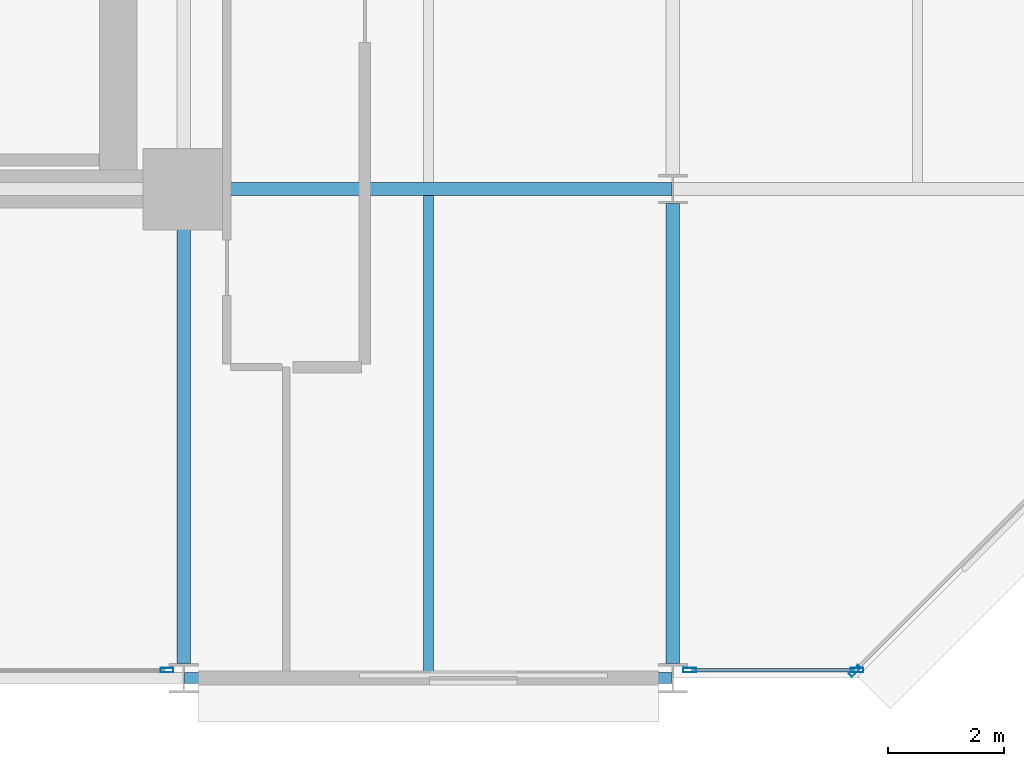
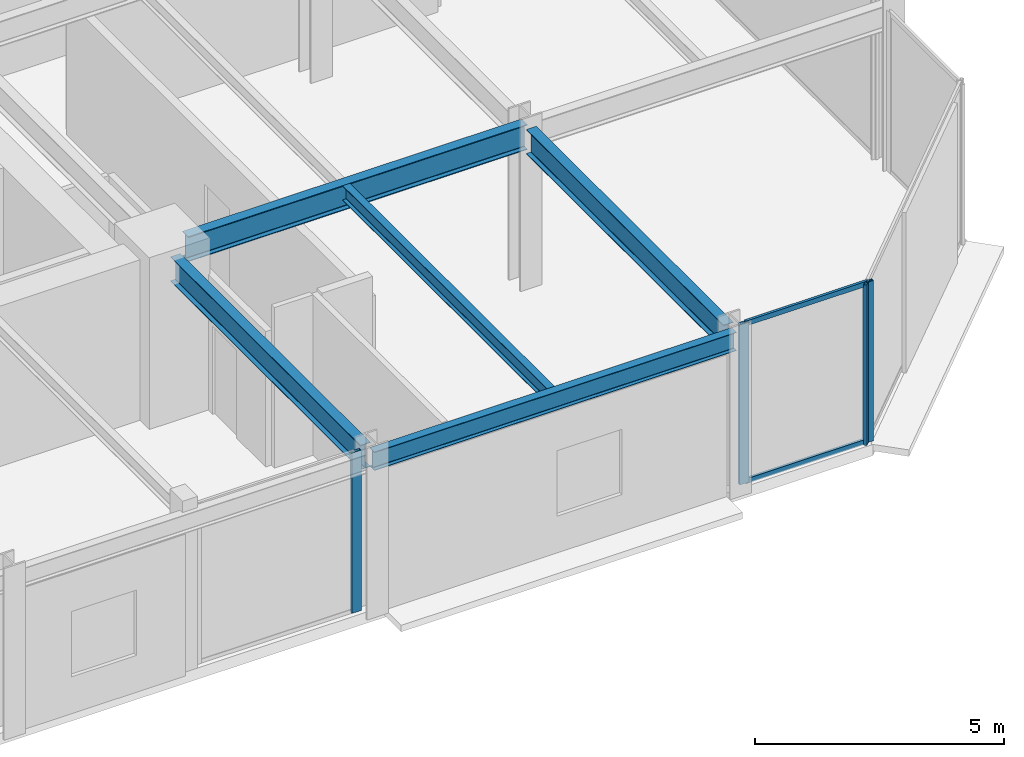
# One storey, part 9 of 25: 6 members, 5 beams, 3 elements without a shape of their own.
"""IFC4 building model written with IfcOpenShell, lengths in metres."""

from ifc_helpers import new_model, si_unit, direction, frame, origin, origin_2d, place, context, subcontext, project, spatial, hollow_rectangle, i_section, extrude, material, layer, layer_set, material_profile, profile_set, type_object, element, aggregate, save


model = new_model("IFC4")

# Units and contexts
model_context = context("Model", 3, precision=1e-05, world=origin(), true_north=direction((0.0, 1.0)))
body_context = subcontext(model_context, "Body", "Model", "MODEL_VIEW")
ifc_project = project(units=[si_unit("LENGTHUNIT", "METRE"), si_unit("AREAUNIT", "SQUARE_METRE"), si_unit("VOLUMEUNIT", "CUBIC_METRE"), si_unit("PLANEANGLEUNIT", "RADIAN"), si_unit("MASSUNIT", "GRAM", prefix="KILO")], contexts=[model_context])

# Site, building, storey
site_placement = place(None, origin())
site = spatial("IfcSite", under=ifc_project, at=site_placement, CompositionType="ELEMENT")
building_placement = place(site_placement, origin())
building = spatial("IfcBuilding", under=site, at=building_placement, Name="Nerrivon Quay Data Exchange", CompositionType="ELEMENT")
storey_placement = place(building_placement, frame((0.0, 0.0, 29.0)))
storey = spatial("IfcBuildingStorey", under=building, at=storey_placement, Name="L06", CompositionType="ELEMENT", Elevation=29.0)

# Beams
ifc_material_1 = material(Name="Steel Grade 350", Category="steel")
ifc_material_profile_1 = material_profile(ifc_material_1, i_section(OverallWidth=0.22900390625, OverallDepth=0.612060546875, WebThickness=0.011962890625, FlangeThickness=0.01953125, FilletRadius=0.013916015625, at=origin_2d()), Name="610UB125")
ifc_profile_set_1 = profile_set([ifc_material_profile_1], Name="Steel Grade 350")
beam_type_1 = type_object("IfcBeamType", Name="BM-G1-610UB125", PredefinedType="BEAM", material=ifc_profile_set_1)
beam_1_placement = place(storey_placement, frame((34.139892578125, 8.39990234375, 3.618896484375), z_axis=(1.0, 0.0, 0.0), x_axis=(0.0, 1.0, 0.0)))
element("IfcBeam", 1, at=beam_1_placement, inside=storey, type_object=beam_type_1, Name="L06 EW Girder Y=8.4 (33.6..42.0)", PredefinedType="BEAM", context=body_context, shape_type="SweptSolid", body=[
    extrude(i_section(OverallWidth=0.22900390625, OverallDepth=0.612060546875, WebThickness=0.011962890625, FlangeThickness=0.01953125, FilletRadius=0.013916015625, at=origin_2d()), origin(), (0.0, 0.0, 1.0), 7.84619140625),
])
ifc_material_profile_2 = material_profile(ifc_material_1, i_section(OverallWidth=0.22802734375, OverallDepth=0.60205078125, WebThickness=0.010498046875, FlangeThickness=0.014892578125, FilletRadius=0.013916015625, at=origin_2d()), Name="610UB101")
ifc_profile_set_2 = profile_set([ifc_material_profile_2], Name="Steel Grade 350")
beam_type_2 = type_object("IfcBeamType", Name="BM-G2-610UB101", PredefinedType="BEAM", material=ifc_profile_set_2)
beam_2_placement = place(storey_placement, frame((33.60009765625, 0.25, 3.6240234375), z_axis=(0.0, 1.0, 0.0), x_axis=(-1.0, 0.0, 0.0)))
element("IfcBeam", 2, at=beam_2_placement, inside=storey, type_object=beam_type_2, Name="L06 NS Girder X=33.6 (0.0..8.4)", PredefinedType="BEAM", context=body_context, shape_type="SweptSolid", body=[
    extrude(i_section(OverallWidth=0.22802734375, OverallDepth=0.60205078125, WebThickness=0.010498046875, FlangeThickness=0.014892578125, FilletRadius=0.013916015625, at=origin_2d()), origin(), (0.0, 0.0, 1.0), 7.610107421875),
])
beam_3_placement = place(storey_placement, frame((42.0, 0.25, 3.6240234375), z_axis=(0.0, 1.0, 0.0), x_axis=(-1.0, 0.0, 0.0)))
element("IfcBeam", 3, at=beam_3_placement, inside=storey, type_object=beam_type_2, Name="L06 NS Girder X=42.0 (0.0..8.4)", PredefinedType="BEAM", context=body_context, shape_type="SweptSolid", body=[
    extrude(i_section(OverallWidth=0.22802734375, OverallDepth=0.60205078125, WebThickness=0.010498046875, FlangeThickness=0.014892578125, FilletRadius=0.013916015625, at=origin_2d()), origin(), (0.0, 0.0, 1.0), 7.89990234375),
])
ifc_material_profile_3 = material_profile(ifc_material_1, i_section(OverallWidth=0.172119140625, OverallDepth=0.35888671875, WebThickness=0.008056640625, FlangeThickness=0.012939453125, FilletRadius=0.011474609375, at=origin_2d()), Name="360UB56.7")
ifc_profile_set_3 = profile_set([ifc_material_profile_3], Name="Steel Grade 350")
beam_type_3 = type_object("IfcBeamType", Name="BM-J3-360UB57", PredefinedType="JOIST", material=ifc_profile_set_3)
beam_4_placement = place(storey_placement, frame((37.800048828125, 0.094970703125, 3.74560546875), z_axis=(0.0, 1.0, 0.0), x_axis=(-1.0, 0.0, 0.0)))
element("IfcBeam", 4, at=beam_4_placement, inside=storey, type_object=beam_type_3, Name="L06 Secondary Joist X=37.8 (0.0..8.4)", PredefinedType="JOIST", context=body_context, shape_type="SweptSolid", body=[
    extrude(i_section(OverallWidth=0.172119140625, OverallDepth=0.35888671875, WebThickness=0.008056640625, FlangeThickness=0.012939453125, FilletRadius=0.011474609375, at=origin_2d()), origin(), (0.0, 0.0, 1.0), 8.1904296875),
])
ifc_material_profile_4 = material_profile(ifc_material_1, i_section(OverallWidth=0.18994140625, OverallDepth=0.4541015625, WebThickness=0.008544921875, FlangeThickness=0.0126953125, FilletRadius=0.011474609375, at=origin_2d()), Name="460UB67.1")
ifc_profile_set_4 = profile_set([ifc_material_profile_4], Name="Steel Grade 350")
beam_type_4 = type_object("IfcBeamType", Name="BM-SP1-460UB67", PredefinedType="SPANDREL", material=ifc_profile_set_4)
beam_5_placement = place(storey_placement, frame((33.614013671875, 0.0, 3.697998046875), z_axis=(1.0, 0.0, 0.0), x_axis=(0.0, 1.0, 0.0)))
element("IfcBeam", 5, at=beam_5_placement, inside=storey, type_object=beam_type_4, Name="L06 EW Girder Y=0.0 (33.6..42.0)", PredefinedType="SPANDREL", context=body_context, shape_type="SweptSolid", body=[
    extrude(i_section(OverallWidth=0.18994140625, OverallDepth=0.4541015625, WebThickness=0.008544921875, FlangeThickness=0.0126953125, FilletRadius=0.011474609375, at=origin_2d()), origin(), (0.0, 0.0, 1.0), 8.3720703125),
])

# Curtain wall, member
ifc_material_2 = material(Name="Anodised aluminium 6063-T6", Category="aluminium")
ifc_layer = layer(ifc_material_2, 0.219970703125)
ifc_layer_set = layer_set([ifc_layer], Name="Anodised aluminium 6063-T6")
curtain_wall_type = type_object("IfcCurtainWallType", Name="CW-SYS-01", PredefinedType="NOTDEFINED", material=ifc_layer_set)
curtain_wall_1_placement = place(storey_placement, origin())
curtain_wall_1 = element("IfcCurtainWall", 6, at=curtain_wall_1_placement, inside=storey, type_object=curtain_wall_type, Name="L06 Unitised Curtain Wall 1", PredefinedType="NOTDEFINED")
ifc_material_profile_5 = material_profile(ifc_material_2, hollow_rectangle(XDim=0.074951171875, YDim=0.219970703125, WallThickness=0.00390625, at=origin_2d()), Name="ALU-MULL-220x75")
ifc_profile_set_5 = profile_set([ifc_material_profile_5], Name="Anodised aluminium 6063-T6")
member_type_1 = type_object("IfcMemberType", Name="CWM-220x75", PredefinedType="MULLION", material=ifc_profile_set_5)
member_1_placement = place(storey_placement, frame((45.12744140625, 0.12548828125, 0.0), z_axis=(0.0, 0.0, 1.0), x_axis=(0.707106781187, -0.707106781187, 0.0)))
member_1 = element("IfcMember", 7, at=member_1_placement, type_object=member_type_1, Name="CW01 mullion 2", PredefinedType="MULLION", context=body_context, shape_type="SweptSolid", body=[
    extrude(hollow_rectangle(XDim=0.074951171875, YDim=0.219970703125, WallThickness=0.00390625, at=origin_2d()), origin(), (0.0, 0.0, 1.0), 3.925048828125),
])
aggregate(curtain_wall_1, [member_1])

# Curtain wall, members
curtain_wall_2_placement = place(storey_placement, origin())
curtain_wall_2 = element("IfcCurtainWall", 8, at=curtain_wall_2_placement, inside=storey, type_object=curtain_wall_type, Name="L06 Unitised Curtain Wall 2", PredefinedType="NOTDEFINED")
member_2_placement = place(storey_placement, frame((45.16259765625, 0.139892578125, 0.0), z_axis=(0.0, 0.0, 1.0), x_axis=(0.0, -1.0, 0.0)))
member_2 = element("IfcMember", 9, at=member_2_placement, type_object=member_type_1, Name="CW01 mullion 1", PredefinedType="MULLION", context=body_context, shape_type="SweptSolid", body=[
    extrude(hollow_rectangle(XDim=0.074951171875, YDim=0.219970703125, WallThickness=0.00390625, at=origin_2d()), origin(), (0.0, 0.0, 1.0), 3.925048828125),
])
member_3_placement = place(storey_placement, frame((42.28759765625, 0.139892578125, 0.0), z_axis=(0.0, 0.0, 1.0), x_axis=(0.0, -1.0, 0.0)))
member_3 = element("IfcMember", 10, at=member_3_placement, type_object=member_type_1, Name="CW01 mullion 2", PredefinedType="MULLION", context=body_context, shape_type="SweptSolid", body=[
    extrude(hollow_rectangle(XDim=0.074951171875, YDim=0.219970703125, WallThickness=0.00390625, at=origin_2d()), origin(), (0.0, 0.0, 1.0), 3.925048828125),
])

# Curtain wall, member
curtain_wall_3_placement = place(storey_placement, origin())
curtain_wall_3 = element("IfcCurtainWall", 11, at=curtain_wall_3_placement, inside=storey, type_object=curtain_wall_type, Name="L06 Unitised Curtain Wall 4", PredefinedType="NOTDEFINED")
member_4_placement = place(storey_placement, frame((33.3125, 0.139892578125, 0.0), z_axis=(0.0, 0.0, 1.0), x_axis=(0.0, -1.0, 0.0)))
member_4 = element("IfcMember", 12, at=member_4_placement, type_object=member_type_1, Name="CW01 mullion 1", PredefinedType="MULLION", context=body_context, shape_type="SweptSolid", body=[
    extrude(hollow_rectangle(XDim=0.074951171875, YDim=0.219970703125, WallThickness=0.00390625, at=origin_2d()), origin(), (0.0, 0.0, 1.0), 3.925048828125),
])
aggregate(curtain_wall_3, [member_4])

# Member
ifc_material_profile_6 = material_profile(ifc_material_2, hollow_rectangle(XDim=0.06005859375, YDim=0.1201171875, WallThickness=0.003173828125, at=origin_2d()), Name="ALU-TRAN-120x60")
ifc_profile_set_6 = profile_set([ifc_material_profile_6], Name="Anodised aluminium 6063-T6")
member_type_2 = type_object("IfcMemberType", Name="CWT-120x60", PredefinedType="USERDEFINED", material=ifc_profile_set_6)
member_5_placement = place(storey_placement, frame((45.125, 0.139892578125, 0.032470703125), z_axis=(-1.0, 0.0, 0.0), x_axis=(0.0, -1.0, 0.0)))
member_5 = element("IfcMember", 13, at=member_5_placement, type_object=member_type_2, Name="CW01 transom 1.1", ObjectType="TRANSOM", PredefinedType="USERDEFINED", context=body_context, shape_type="SweptSolid", body=[
    extrude(hollow_rectangle(XDim=0.06005859375, YDim=0.1201171875, WallThickness=0.003173828125, at=origin_2d()), origin(), (0.0, 0.0, 1.0), 2.800048828125),
])

member_6_placement = place(storey_placement, frame((45.125, 0.139892578125, 3.892578125), z_axis=(-1.0, 0.0, 0.0), x_axis=(0.0, -1.0, 0.0)))
member_6 = element("IfcMember", 14, at=member_6_placement, type_object=member_type_2, Name="CW01 transom 1.2", ObjectType="TRANSOM", PredefinedType="USERDEFINED", context=body_context, shape_type="SweptSolid", body=[
    extrude(hollow_rectangle(XDim=0.06005859375, YDim=0.1201171875, WallThickness=0.003173828125, at=origin_2d()), origin(), (0.0, 0.0, 1.0), 2.800048828125),
])

aggregate(curtain_wall_2, [member_2, member_3, member_5, member_6])

save(model, "model.ifc")
